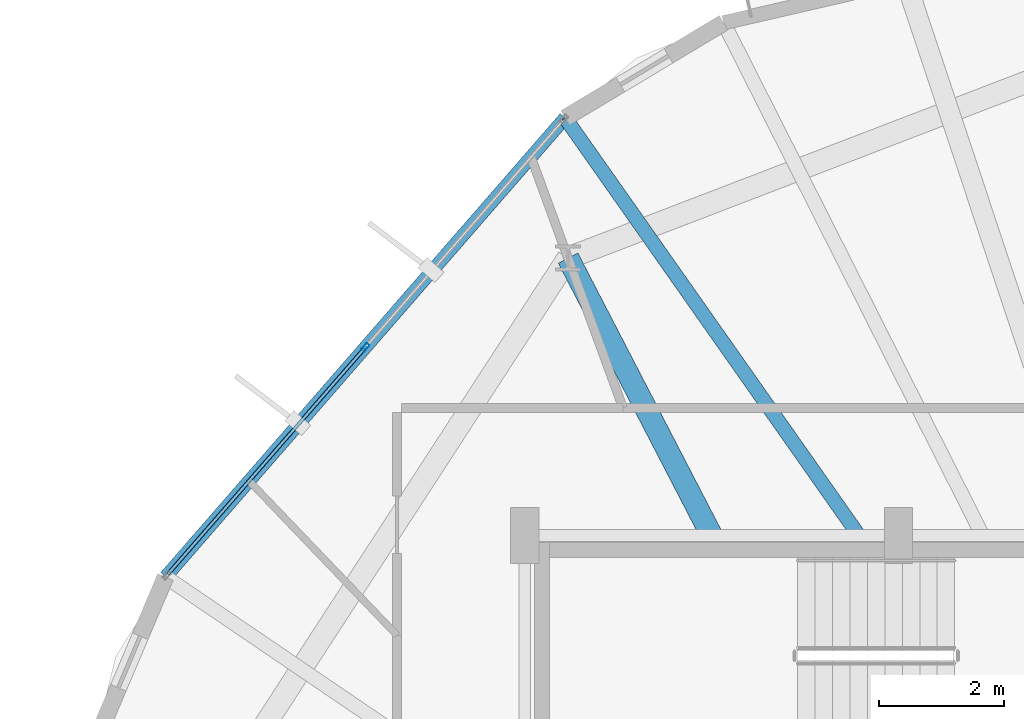
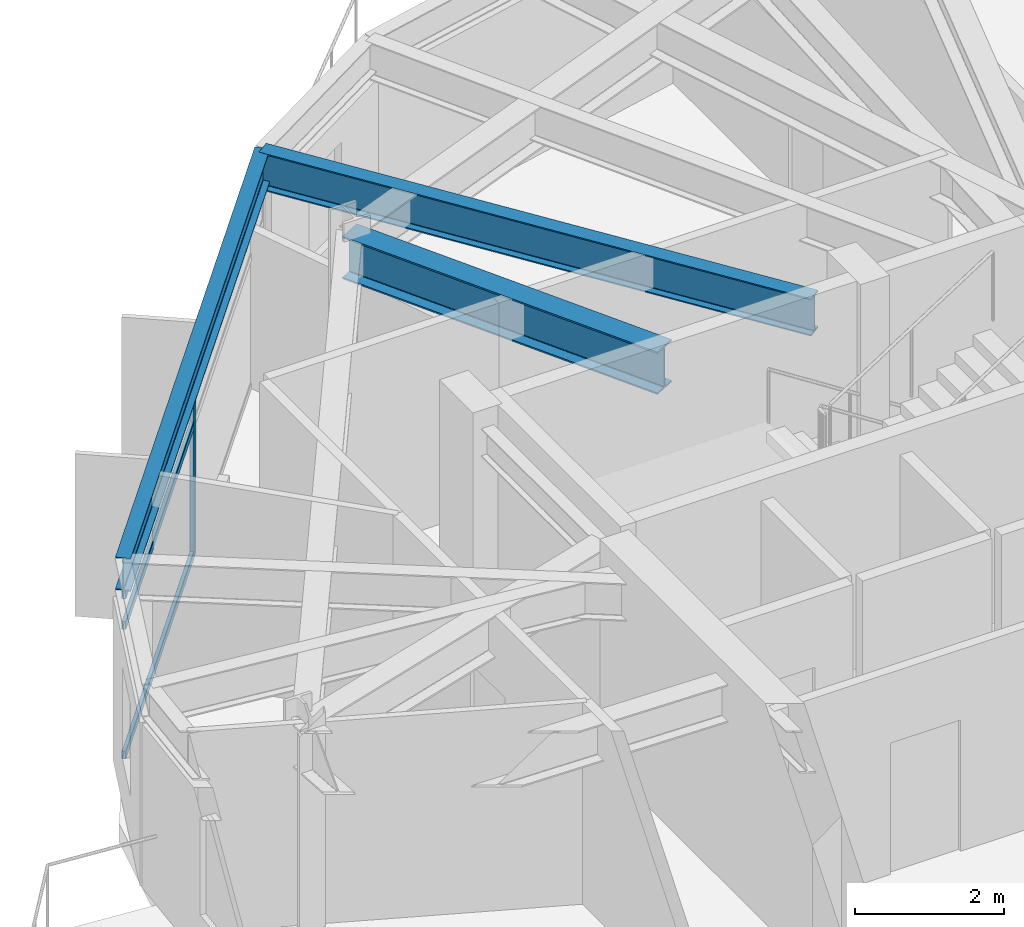
# One storey, part 14 of 27: 4 members, 3 beams, 1 element without a shape of its own.
"""IFC4 building model written with IfcOpenShell, lengths in metres."""

from ifc_helpers import new_model, si_unit, direction, frame, origin, origin_2d, place, context, subcontext, project, spatial, hollow_rectangle, i_section, extrude, material, layer, layer_set, material_profile, profile_set, type_object, element, aggregate, save


model = new_model("IFC4")

# Units and contexts
model_context = context("Model", 3, precision=1e-05, world=origin(), true_north=direction((0.0, 1.0)))
body_context = subcontext(model_context, "Body", "Model", "MODEL_VIEW")
ifc_project = project(units=[si_unit("LENGTHUNIT", "METRE"), si_unit("AREAUNIT", "SQUARE_METRE"), si_unit("VOLUMEUNIT", "CUBIC_METRE"), si_unit("PLANEANGLEUNIT", "RADIAN"), si_unit("MASSUNIT", "GRAM", prefix="KILO")], contexts=[model_context])

# Site, building, storey
site_placement = place(None, origin())
site = spatial("IfcSite", under=ifc_project, at=site_placement, CompositionType="ELEMENT")
building_placement = place(site_placement, origin())
building = spatial("IfcBuilding", under=site, at=building_placement, Name="Soratama Intermodal Tower", CompositionType="ELEMENT")
storey_placement = place(building_placement, frame((0.0, 0.0, 212.199951171875)))
storey = spatial("IfcBuildingStorey", under=building, at=storey_placement, Name="L53", CompositionType="ELEMENT", Elevation=212.199951171875)

# Beams
ifc_material_1 = material(Name="Structural steel ASTM A992 Grade 50", Category="steel")
ifc_material_profile_1 = material_profile(ifc_material_1, i_section(OverallWidth=0.35498046875, OverallDepth=0.695068359375, WebThickness=0.015380859375, FlangeThickness=0.02490234375, FilletRadius=0.01611328125, at=origin_2d()), Name="W27X146")
ifc_profile_set_1 = profile_set([ifc_material_profile_1], Name="Structural steel ASTM A992 Grade 50")
beam_type_1 = type_object("IfcBeamType", Name="BM-RING-W27X146", PredefinedType="BEAM", material=ifc_profile_set_1)
beam_1_placement = place(storey_placement, frame((35.60009765625, 35.0, 2.95263671875), z_axis=(-0.459552673174, 0.888150516849, 0.0), x_axis=(-0.888150516849, -0.459552673174, 0.0)))
element("IfcBeam", 1, at=beam_1_placement, inside=storey, type_object=beam_type_1, Name="BM-L53-RAD-04", PredefinedType="BEAM", context=body_context, shape_type="SweptSolid", body=[
    extrude(i_section(OverallWidth=0.35498046875, OverallDepth=0.695068359375, WebThickness=0.015380859375, FlangeThickness=0.02490234375, FilletRadius=0.01611328125, at=origin_2d()), origin(), (0.0, 0.0, 1.0), 5.01611328125),
])
ifc_material_2 = material(Name="Structural steel ASTM A992 Grade 50", Category="steel")
ifc_material_profile_2 = material_profile(ifc_material_2, i_section(OverallWidth=0.2099609375, OverallDepth=0.537109375, WebThickness=0.010986328125, FlangeThickness=0.017333984375, FilletRadius=0.012939453125, at=origin_2d()), Name="W21X68")
ifc_profile_set_2 = profile_set([ifc_material_profile_2], Name="Structural steel ASTM A992 Grade 50")
beam_type_2 = type_object("IfcBeamType", Name="BM-SPN-W21X68", PredefinedType="SPANDREL", material=ifc_profile_set_2)
beam_2_placement = place(storey_placement, frame((33.248046875, 41.7060546875, 3.031494140625), z_axis=(-0.656584514776, -0.754252461021, 0.0), x_axis=(0.754252461021, -0.656584514776, 0.0)))
element("IfcBeam", 2, at=beam_2_placement, inside=storey, type_object=beam_type_2, Name="BS-L53-F03", PredefinedType="SPANDREL", context=body_context, shape_type="SweptSolid", body=[
    extrude(i_section(OverallWidth=0.2099609375, OverallDepth=0.537109375, WebThickness=0.010986328125, FlangeThickness=0.017333984375, FilletRadius=0.012939453125, at=origin_2d()), origin(), (0.0, 0.0, 1.0), 9.768798828125),
])
ifc_material_3 = material(Name="Structural steel ASTM A992 Grade 50", Category="steel")
ifc_material_profile_3 = material_profile(ifc_material_3, i_section(OverallWidth=0.22900390625, OverallDepth=0.612060546875, WebThickness=0.011962890625, FlangeThickness=0.01953125, FilletRadius=0.012939453125, at=origin_2d()), Name="W24X84")
ifc_profile_set_3 = profile_set([ifc_material_profile_3], Name="Structural steel ASTM A992 Grade 50")
beam_type_3 = type_object("IfcBeamType", Name="BM-TIE-W24X84", PredefinedType="BEAM", material=ifc_profile_set_3)
beam_3_placement = place(storey_placement, frame((37.94189453125, 35.032958984375, 2.994140625), z_axis=(-0.575326613692, 0.817923766361, 0.0), x_axis=(-0.817923766361, -0.575326613692, 0.0)))
element("IfcBeam", 3, at=beam_3_placement, inside=storey, type_object=beam_type_3, Name="BM-L53-TIE0-03", PredefinedType="BEAM", context=body_context, shape_type="SweptSolid", body=[
    extrude(i_section(OverallWidth=0.22900390625, OverallDepth=0.612060546875, WebThickness=0.011962890625, FlangeThickness=0.01953125, FilletRadius=0.012939453125, at=origin_2d()), origin(), (0.0, 0.0, 1.0), 8.15869140625),
])

# Curtain wall, members
ifc_material_4 = material(Name="Double-glazed aluminium curtain wall", Category="aluminium")
ifc_layer = layer(ifc_material_4, 0.159912109375)
ifc_layer_set = layer_set([ifc_layer], Name="Double-glazed aluminium curtain wall")
curtain_wall_type = type_object("IfcCurtainWallType", Name="CW-SYS-5", PredefinedType="NOTDEFINED", material=ifc_layer_set)
curtain_wall_placement = place(storey_placement, origin())
curtain_wall = element("IfcCurtainWall", 4, at=curtain_wall_placement, inside=storey, type_object=curtain_wall_type, Name="L53 Faceted Curtain Wall F03", PredefinedType="NOTDEFINED")
ifc_material_5 = material(Name="Anodised aluminium AA 6063-T6", Category="aluminium")
ifc_material_profile_4 = material_profile(ifc_material_5, hollow_rectangle(XDim=0.06494140625, YDim=0.139892578125, WallThickness=0.0048828125, InnerFilletRadius=0.0048828125, OuterFilletRadius=0.010009765625, at=origin_2d()), Name="CWM140X65X5")
ifc_profile_set_4 = profile_set([ifc_material_profile_4], Name="Anodised aluminium AA 6063-T6")
member_type_1 = type_object("IfcMemberType", Name="MT-CWM-5", PredefinedType="MULLION", material=ifc_profile_set_4)
member_1_placement = place(storey_placement, frame((30.041259765625, 38.02197265625, 0.0), z_axis=(0.0, 0.0, 1.0), x_axis=(0.754252145903, -0.656584876768, 0.0)))
member_1 = element("IfcMember", 5, at=member_1_placement, type_object=member_type_1, Name="CW-5 mullion 2", PredefinedType="MULLION", context=body_context, shape_type="SweptSolid", body=[
    extrude(hollow_rectangle(XDim=0.06494140625, YDim=0.139892578125, WallThickness=0.0048828125, InnerFilletRadius=0.0048828125, OuterFilletRadius=0.010009765625, at=origin_2d()), origin(), (0.0, 0.0, 1.0), 2.678955078125),
])
ifc_material_6 = material(Name="Anodised aluminium AA 6063-T6", Category="aluminium")
ifc_material_profile_5 = material_profile(ifc_material_6, hollow_rectangle(XDim=0.06005859375, YDim=0.1298828125, WallThickness=0.0048828125, InnerFilletRadius=0.0048828125, OuterFilletRadius=0.010009765625, at=origin_2d()), Name="CWT130X60X5")
ifc_profile_set_5 = profile_set([ifc_material_profile_5], Name="Anodised aluminium AA 6063-T6")
member_type_2 = type_object("IfcMemberType", Name="TT-CWT-2", PredefinedType="USERDEFINED", material=ifc_profile_set_5)
member_2_placement = place(storey_placement, frame((30.021484375, 37.999267578125, 0.030029296875), z_axis=(-0.656584568529, -0.754252414228, 0.0), x_axis=(0.754252414228, -0.656584568529, 0.0)))
member_2 = element("IfcMember", 6, at=member_2_placement, type_object=member_type_2, Name="CW-5 transom 2.1", ObjectType="TRANSOM", PredefinedType="USERDEFINED", context=body_context, shape_type="SweptSolid", body=[
    extrude(hollow_rectangle(XDim=0.06005859375, YDim=0.1298828125, WallThickness=0.0048828125, InnerFilletRadius=0.0048828125, OuterFilletRadius=0.010009765625, at=origin_2d()), origin(), (0.0, 0.0, 1.0), 4.79443359375),
])
member_3_placement = place(storey_placement, frame((30.021484375, 37.999267578125, 2.150146484375), z_axis=(-0.656584568529, -0.754252414228, 0.0), x_axis=(0.754252414228, -0.656584568529, 0.0)))
member_3 = element("IfcMember", 7, at=member_3_placement, type_object=member_type_2, Name="CW-5 transom 2.2", ObjectType="TRANSOM", PredefinedType="USERDEFINED", context=body_context, shape_type="SweptSolid", body=[
    extrude(hollow_rectangle(XDim=0.06005859375, YDim=0.1298828125, WallThickness=0.0048828125, InnerFilletRadius=0.0048828125, OuterFilletRadius=0.010009765625, at=origin_2d()), origin(), (0.0, 0.0, 1.0), 4.79443359375),
])
member_4_placement = place(storey_placement, frame((30.021484375, 37.999267578125, 2.649169921875), z_axis=(-0.656584568529, -0.754252414228, 0.0), x_axis=(0.754252414228, -0.656584568529, 0.0)))
member_4 = element("IfcMember", 8, at=member_4_placement, type_object=member_type_2, Name="CW-5 transom 2.3", ObjectType="TRANSOM", PredefinedType="USERDEFINED", context=body_context, shape_type="SweptSolid", body=[
    extrude(hollow_rectangle(XDim=0.06005859375, YDim=0.1298828125, WallThickness=0.0048828125, InnerFilletRadius=0.0048828125, OuterFilletRadius=0.010009765625, at=origin_2d()), origin(), (0.0, 0.0, 1.0), 4.79443359375),
])
aggregate(curtain_wall, [member_1, member_2, member_3, member_4])

save(model, "model.ifc")
